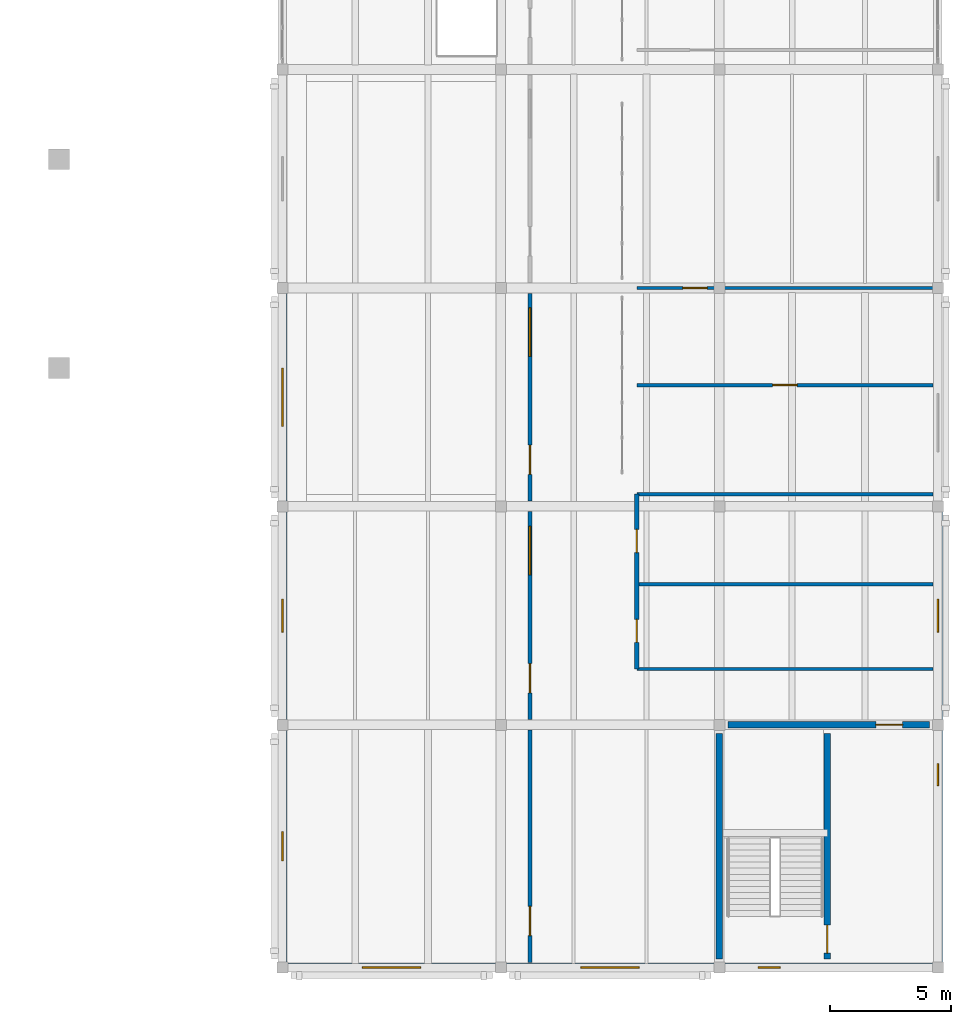
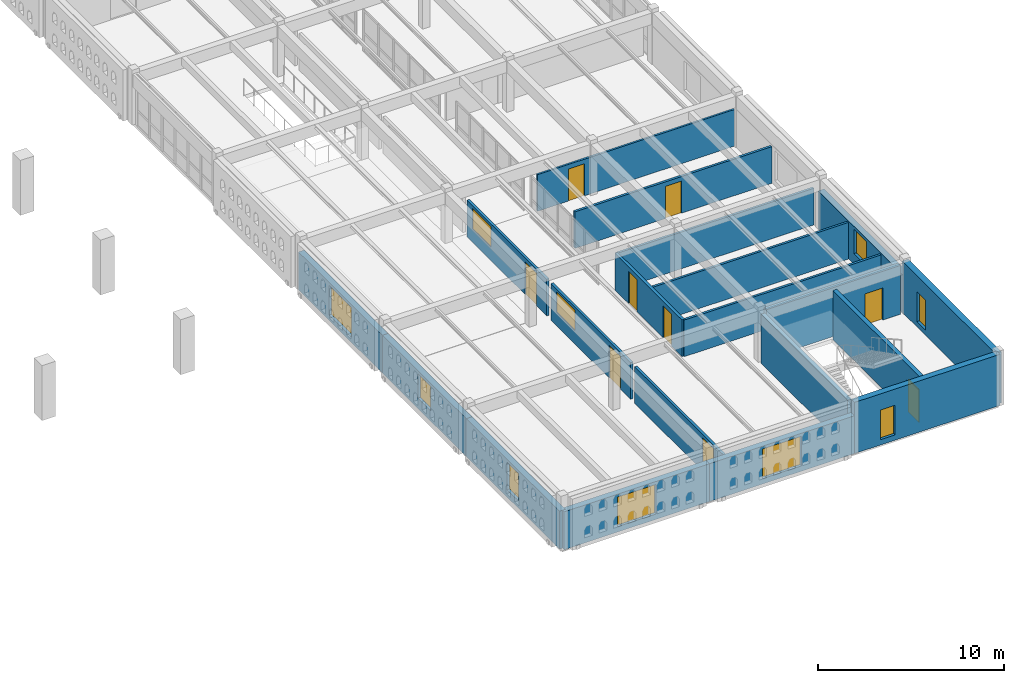
# One storey, part 68 of 80: 20 walls, 10 windows, 9 doors, 19 openings.
"""IFC4 building model written with IfcOpenShell, lengths in metres."""

from ifc_helpers import new_model, si_unit, direction, frame, frame_2d, origin, place, context, subcontext, project, spatial, rectangle, extrude, material, layer, layer_set, type_object, element, fill, save


model = new_model("IFC4")

# Units and contexts
model_context = context("Model", 3, precision=1e-05, world=origin(), true_north=direction((0.0, 1.0)))
body_context = subcontext(model_context, "Body", "Model", "MODEL_VIEW")
ifc_project = project(units=[si_unit("LENGTHUNIT", "METRE"), si_unit("AREAUNIT", "SQUARE_METRE"), si_unit("VOLUMEUNIT", "CUBIC_METRE"), si_unit("PLANEANGLEUNIT", "RADIAN"), si_unit("MASSUNIT", "GRAM", prefix="KILO")], contexts=[model_context])

# Site, building, storey
site_placement = place(None, origin())
site = spatial("IfcSite", under=ifc_project, at=site_placement, CompositionType="ELEMENT")
building_placement = place(site_placement, origin())
building = spatial("IfcBuilding", under=site, at=building_placement, Name="Ornek Quay Market", CompositionType="ELEMENT")
storey_placement = place(building_placement, frame((0.0, 0.0, 8.39990234375)))
storey = spatial("IfcBuildingStorey", under=building, at=storey_placement, Name="L02", CompositionType="ELEMENT", Elevation=8.39990234375)

# Wall, opening, door
ifc_material_1 = material(Name="Concrete C40/50", Category="concrete")
ifc_layer_1 = layer(ifc_material_1, 0.260009765625, Name="Concrete C40/50", Category="concrete")
ifc_layer_set_1 = layer_set([ifc_layer_1], Name="Concrete C40/50")
wall_type_1 = type_object("IfcWallType", Name="WL-CORE-260", PredefinedType="SHEAR", material=ifc_layer_set_1)
wall_1_placement = place(storey_placement, frame((175.449951171875, 10.35009765625, 0.0), z_axis=(0.0, 0.0, 1.0), x_axis=(0.0, 1.0, 0.0)))
wall_1 = element("IfcWall", 1, at=wall_1_placement, inside=storey, type_object=wall_type_1, Name="Interior wall W-CORE2-163", PredefinedType="SHEAR", context=body_context, shape_type="SweptSolid", body=[
    extrude(rectangle(XDim=9.2998046875, YDim=0.260009765625, at=frame_2d((4.64990234375, 0.0))), origin(), (0.0, 0.0, 1.0), 3.2001953125),
])
opening_1_placement = place(wall_1_placement, frame((0.25, 0.0, 0.0)))
opening_1 = element("IfcOpeningElement", 2, at=opening_1_placement, cuts=wall_1, Name="Opening FD-03-064", PredefinedType="OPENING", context=body_context, shape_type="SweptSolid", body=[
    extrude(rectangle(XDim=1.14990234375, YDim=2.14990234375, at=frame_2d((0.574951171875, 1.074951171875))), frame((0.0, 0.139892578125, 0.0), z_axis=(0.0, -1.0, 0.0), x_axis=(1.0, 0.0, 0.0)), (0.0, 0.0, 1.0), 0.280029296875),
])
ifc_material_2 = material(Name="Insulated fire-rated painted steel", Category="steel")
door_type_1 = type_object("IfcDoorType", Name="DR-FIRE-STAIR-1150x2150", OperationType="NOTDEFINED", PredefinedType="DOOR", material=ifc_material_2)
door_1_placement = place(opening_1_placement, origin())
door_1 = element("IfcDoor", 3, at=door_1_placement, inside=storey, type_object=door_type_1, Name="Interior door FD-03-064", OperationType="SINGLE_SWING_LEFT", OverallHeight=2.14990234375, OverallWidth=1.14990234375, PredefinedType="DOOR", context=body_context, shape_type="SweptSolid", body=[
    extrude(rectangle(XDim=1.14990234375, YDim=2.14990234375, at=frame_2d((0.574951171875, 1.074951171875))), frame((0.0, 0.02490234375, 0.0), z_axis=(0.0, -1.0, 0.0), x_axis=(1.0, 0.0, 0.0)), (0.0, 0.0, 1.0), 0.050048828125),
])
fill(opening_1, door_1)

# Wall
wall_2_placement = place(storey_placement, frame((171.0, 10.35009765625, 0.0), z_axis=(0.0, 0.0, 1.0), x_axis=(0.0, 1.0, 0.0)))
element("IfcWall", 4, at=wall_2_placement, inside=storey, type_object=wall_type_1, Name="Interior wall W-CORE2-164", PredefinedType="SHEAR", context=body_context, shape_type="SweptSolid", body=[
    extrude(rectangle(XDim=9.2998046875, YDim=0.260009765625, at=frame_2d((4.64990234375, 0.0))), origin(), (0.0, 0.0, 1.0), 3.2001953125),
])

# Wall, opening, door
wall_3_placement = place(storey_placement, frame((171.35009765625, 20.0, 0.0), z_axis=(0.0, 0.0, 1.0), x_axis=(1.0, 0.0, 0.0)))
wall_3 = element("IfcWall", 5, at=wall_3_placement, inside=storey, type_object=wall_type_1, Name="Interior wall W-CORE2-165", PredefinedType="SHEAR", context=body_context, shape_type="SweptSolid", body=[
    extrude(rectangle(XDim=8.2998046875, YDim=0.260009765625, at=frame_2d((4.14990234375, 0.0))), origin(), (0.0, 0.0, 1.0), 3.2001953125),
])
opening_2_placement = place(wall_3_placement, frame((6.10009765625, 0.0, 0.0)))
opening_2 = element("IfcOpeningElement", 6, at=opening_2_placement, cuts=wall_3, Name="Opening FD-04-065", PredefinedType="OPENING", context=body_context, shape_type="SweptSolid", body=[
    extrude(rectangle(XDim=1.10009765625, YDim=2.10009765625, at=frame_2d((0.550048828125, 1.050048828125))), frame((0.0, 0.139892578125, 0.0), z_axis=(0.0, -1.0, 0.0), x_axis=(1.0, 0.0, 0.0)), (0.0, 0.0, 1.0), 0.280029296875),
])
door_type_2 = type_object("IfcDoorType", Name="DR-FIRE-LOBBY-1100x2100", OperationType="NOTDEFINED", PredefinedType="DOOR", material=ifc_material_2)
door_2_placement = place(opening_2_placement, origin())
door_2 = element("IfcDoor", 7, at=door_2_placement, inside=storey, type_object=door_type_2, Name="Interior door FD-04-065", OperationType="SINGLE_SWING_RIGHT", OverallHeight=2.10009765625, OverallWidth=1.10009765625, PredefinedType="DOOR", context=body_context, shape_type="SweptSolid", body=[
    extrude(rectangle(XDim=1.10009765625, YDim=2.10009765625, at=frame_2d((0.550048828125, 1.050048828125))), frame((0.0, 0.02490234375, 0.0), z_axis=(0.0, -1.0, 0.0), x_axis=(1.0, 0.0, 0.0)), (0.0, 0.0, 1.0), 0.050048828125),
])
fill(opening_2, door_2)

# Wall, openings, doors
ifc_material_3 = material(Name="Autoclaved aerated concrete masonry", Category="masonry")
ifc_layer_2 = layer(ifc_material_3, 0.179931640625, Name="Autoclaved aerated concrete masonry", Category="masonry")
ifc_layer_set_2 = layer_set([ifc_layer_2], Name="Autoclaved aerated concrete masonry")
wall_type_2 = type_object("IfcWallType", Name="WL-CORR-180", PredefinedType="STANDARD", material=ifc_layer_set_2)
wall_4_placement = place(storey_placement, frame((167.60009765625, 22.300048828125, 0.0), z_axis=(0.0, 0.0, 1.0), x_axis=(0.0, 1.0, 0.0)))
wall_4 = element("IfcWall", 8, at=wall_4_placement, inside=storey, type_object=wall_type_2, Name="Interior wall W-INT1-396", PredefinedType="STANDARD", context=body_context, shape_type="SweptSolid", body=[
    extrude(rectangle(XDim=7.199951171875, YDim=0.179931640625, at=frame_2d((3.60009765625, 0.0))), origin(), (0.0, 0.0, 1.0), 2.400146484375),
])
opening_3_placement = place(wall_4_placement, frame((1.10009765625, 0.0, 0.0)))
opening_3 = element("IfcOpeningElement", 9, at=opening_3_placement, cuts=wall_4, Name="Opening ID-04-192", PredefinedType="OPENING", context=body_context, shape_type="SweptSolid", body=[
    extrude(rectangle(XDim=0.949951171875, YDim=2.10009765625, at=frame_2d((0.47509765625, 1.050048828125))), frame((0.0, 0.099853515625, 0.0), z_axis=(0.0, -1.0, 0.0), x_axis=(1.0, 0.0, 0.0)), (0.0, 0.0, 1.0), 0.199951171875),
])
opening_4_placement = place(wall_4_placement, frame((4.800048828125, 0.0, 0.0)))
opening_4 = element("IfcOpeningElement", 10, at=opening_4_placement, cuts=wall_4, Name="Opening ID-04-193", PredefinedType="OPENING", context=body_context, shape_type="SweptSolid", body=[
    extrude(rectangle(XDim=0.949951171875, YDim=2.10009765625, at=frame_2d((0.47509765625, 1.050048828125))), frame((0.0, 0.099853515625, 0.0), z_axis=(0.0, -1.0, 0.0), x_axis=(1.0, 0.0, 0.0)), (0.0, 0.0, 1.0), 0.199951171875),
])
ifc_material_4 = material(Name="Moisture-resistant laminate door", Category="other")
door_type_3 = type_object("IfcDoorType", Name="DR-INT-WC-950x2100", OperationType="NOTDEFINED", PredefinedType="DOOR", material=ifc_material_4)
door_3_placement = place(opening_3_placement, origin())
door_3 = element("IfcDoor", 11, at=door_3_placement, inside=storey, type_object=door_type_3, Name="Interior door ID-04-192", OperationType="SINGLE_SWING_LEFT", OverallHeight=2.10009765625, OverallWidth=0.949951171875, PredefinedType="DOOR", context=body_context, shape_type="SweptSolid", body=[
    extrude(rectangle(XDim=0.949951171875, YDim=2.10009765625, at=frame_2d((0.47509765625, 1.050048828125))), frame((0.0, 0.02490234375, 0.0), z_axis=(0.0, -1.0, 0.0), x_axis=(1.0, 0.0, 0.0)), (0.0, 0.0, 1.0), 0.050048828125),
])
fill(opening_3, door_3)
door_4_placement = place(opening_4_placement, origin())
door_4 = element("IfcDoor", 12, at=door_4_placement, inside=storey, type_object=door_type_3, Name="Interior door ID-04-193", OperationType="SINGLE_SWING_RIGHT", OverallHeight=2.10009765625, OverallWidth=0.949951171875, PredefinedType="DOOR", context=body_context, shape_type="SweptSolid", body=[
    extrude(rectangle(XDim=0.949951171875, YDim=2.10009765625, at=frame_2d((0.47509765625, 1.050048828125))), frame((0.0, 0.02490234375, 0.0), z_axis=(0.0, -1.0, 0.0), x_axis=(1.0, 0.0, 0.0)), (0.0, 0.0, 1.0), 0.050048828125),
])
fill(opening_4, door_4)

# Wall, opening, window
ifc_material_5 = material(Name="Frost-resistant facing clay brick M200 F100", Category="masonry")
ifc_layer_3 = layer(ifc_material_5, 0.3701171875, Name="Frost-resistant facing clay brick M200 F100", Category="masonry")
ifc_layer_set_3 = layer_set([ifc_layer_3], Name="Frost-resistant facing clay brick M200 F100")
wall_type_3 = type_object("IfcWallType", Name="WL-EXT-CS-370", PredefinedType="STANDARD", material=ifc_layer_set_3)
wall_5_placement = place(storey_placement, frame((153.0, 10.0, 0.0), z_axis=(0.0, 0.0, 1.0), x_axis=(0.0, 1.0, 0.0)))
wall_5 = element("IfcWall", 13, at=wall_5_placement, inside=storey, type_object=wall_type_3, Name="Exterior wall EW-214", PredefinedType="STANDARD", context=body_context, shape_type="SweptSolid", body=[
    extrude(rectangle(XDim=10.0, YDim=0.3701171875, at=frame_2d((5.0, 0.0))), origin(), (0.0, 0.0, 1.0), 2.47998046875),
])
opening_5_placement = place(wall_5_placement, frame((4.39990234375, 0.0, 0.489990234375)))
opening_5 = element("IfcOpeningElement", 14, at=opening_5_placement, cuts=wall_5, Name="Opening W-11-177", PredefinedType="OPENING", context=body_context, shape_type="SweptSolid", body=[
    extrude(rectangle(XDim=1.199951171875, YDim=1.800048828125, at=frame_2d((0.60009765625, 0.89990234375))), frame((0.0, 0.195068359375, 0.0), z_axis=(0.0, -1.0, 0.0), x_axis=(1.0, 0.0, 0.0)), (0.0, 0.0, 1.0), 0.39013671875),
])
ifc_material_6 = material(Name="Thermally broken bronze aluminium and triple low-e glass", Category="aluminium")
window_type_1 = type_object("IfcWindowType", Name="WN-CS-1200x1800", PartitioningType="SINGLE_PANEL", PredefinedType="WINDOW", material=ifc_material_6)
window_1_placement = place(opening_5_placement, origin())
window_1 = element("IfcWindow", 15, at=window_1_placement, inside=storey, type_object=window_type_1, Name="Window W-11-177", OverallHeight=1.800048828125, OverallWidth=1.199951171875, PartitioningType="SINGLE_PANEL", PredefinedType="WINDOW", context=body_context, shape_type="SweptSolid", body=[
    extrude(rectangle(XDim=1.199951171875, YDim=1.800048828125, at=frame_2d((0.60009765625, 0.89990234375))), frame((0.0, 0.030029296875, 0.0), z_axis=(0.0, -1.0, 0.0), x_axis=(1.0, 0.0, 0.0)), (0.0, 0.0, 1.0), 0.06005859375),
])
fill(opening_5, window_1)

wall_6_placement = place(storey_placement, frame((153.0, 20.0, 0.0), z_axis=(0.0, 0.0, 1.0), x_axis=(0.0, 1.0, 0.0)))
wall_6 = element("IfcWall", 16, at=wall_6_placement, inside=storey, type_object=wall_type_3, Name="Exterior wall EW-215", PredefinedType="STANDARD", context=body_context, shape_type="SweptSolid", body=[
    extrude(rectangle(XDim=9.0, YDim=0.3701171875, at=frame_2d((4.5, 0.0))), origin(), (0.0, 0.0, 1.0), 2.47998046875),
])
opening_6_placement = place(wall_6_placement, frame((3.824951171875, 0.0, 0.68994140625)))
opening_6 = element("IfcOpeningElement", 17, at=opening_6_placement, cuts=wall_6, Name="Opening W-16-178", PredefinedType="OPENING", context=body_context, shape_type="SweptSolid", body=[
    extrude(rectangle(XDim=1.35009765625, YDim=1.60009765625, at=frame_2d((0.675048828125, 0.800048828125))), frame((0.0, 0.195068359375, 0.0), z_axis=(0.0, -1.0, 0.0), x_axis=(1.0, 0.0, 0.0)), (0.0, 0.0, 1.0), 0.39013671875),
])
window_type_2 = type_object("IfcWindowType", Name="WN-OFF-1350x1600", PartitioningType="SINGLE_PANEL", PredefinedType="WINDOW", material=ifc_material_6)
window_2_placement = place(opening_6_placement, origin())
window_2 = element("IfcWindow", 18, at=window_2_placement, inside=storey, type_object=window_type_2, Name="Window W-16-178", OverallHeight=1.60009765625, OverallWidth=1.35009765625, PartitioningType="SINGLE_PANEL", PredefinedType="WINDOW", context=body_context, shape_type="SweptSolid", body=[
    extrude(rectangle(XDim=1.35009765625, YDim=1.60009765625, at=frame_2d((0.675048828125, 0.800048828125))), frame((0.0, 0.030029296875, 0.0), z_axis=(0.0, -1.0, 0.0), x_axis=(1.0, 0.0, 0.0)), (0.0, 0.0, 1.0), 0.06005859375),
])
fill(opening_6, window_2)

wall_7_placement = place(storey_placement, frame((153.0, 29.0, 0.0), z_axis=(0.0, 0.0, 1.0), x_axis=(0.0, 1.0, 0.0)))
wall_7 = element("IfcWall", 19, at=wall_7_placement, inside=storey, type_object=wall_type_3, Name="Exterior wall EW-216", PredefinedType="STANDARD", context=body_context, shape_type="SweptSolid", body=[
    extrude(rectangle(XDim=9.0, YDim=0.3701171875, at=frame_2d((4.5, 0.0))), origin(), (0.0, 0.0, 1.0), 2.47998046875),
])
opening_7_placement = place(wall_7_placement, frame((3.300048828125, 0.0, 0.35009765625)))
opening_7 = element("IfcOpeningElement", 20, at=opening_7_placement, cuts=wall_7, Name="Opening W-08-179", PredefinedType="OPENING", context=body_context, shape_type="SweptSolid", body=[
    extrude(rectangle(XDim=2.39990234375, YDim=1.93994140625, at=frame_2d((1.199951171875, 0.969970703125))), frame((0.0, 0.195068359375, 0.0), z_axis=(0.0, -1.0, 0.0), x_axis=(1.0, 0.0, 0.0)), (0.0, 0.0, 1.0), 0.39013671875),
])
window_type_3 = type_object("IfcWindowType", Name="WN-CS-2400x2000", PartitioningType="DOUBLE_PANEL_VERTICAL", PredefinedType="WINDOW", material=ifc_material_6)
window_3_placement = place(opening_7_placement, origin())
window_3 = element("IfcWindow", 21, at=window_3_placement, inside=storey, type_object=window_type_3, Name="Window W-08-179", OverallHeight=1.93994140625, OverallWidth=2.39990234375, PartitioningType="SINGLE_PANEL", PredefinedType="WINDOW", context=body_context, shape_type="SweptSolid", body=[
    extrude(rectangle(XDim=2.39990234375, YDim=1.93994140625, at=frame_2d((1.199951171875, 0.969970703125))), frame((0.0, 0.030029296875, 0.0), z_axis=(0.0, -1.0, 0.0), x_axis=(1.0, 0.0, 0.0)), (0.0, 0.0, 1.0), 0.06005859375),
])
fill(opening_7, window_3)

wall_8_placement = place(storey_placement, frame((180.0, 20.0, 0.0), z_axis=(0.0, 0.0, 1.0), x_axis=(0.0, -1.0, 0.0)))
wall_8 = element("IfcWall", 22, at=wall_8_placement, inside=storey, type_object=wall_type_3, Name="Exterior wall EW-219", PredefinedType="STANDARD", context=body_context, shape_type="SweptSolid", body=[
    extrude(rectangle(XDim=10.0, YDim=0.3701171875, at=frame_2d((5.0, 0.0))), origin(), (0.0, 0.0, 1.0), 3.35009765625),
])
opening_8_placement = place(wall_8_placement, frame((1.60009765625, 0.0, 0.35009765625)))
opening_8 = element("IfcOpeningElement", 23, at=opening_8_placement, cuts=wall_8, Name="Opening W-17-182", PredefinedType="OPENING", context=body_context, shape_type="SweptSolid", body=[
    extrude(rectangle(XDim=0.89990234375, YDim=1.93994140625, at=frame_2d((0.449951171875, 0.969970703125))), frame((0.0, 0.195068359375, 0.0), z_axis=(0.0, -1.0, 0.0), x_axis=(1.0, 0.0, 0.0)), (0.0, 0.0, 1.0), 0.39013671875),
])
window_type_4 = type_object("IfcWindowType", Name="WN-CORE-900x2400", PartitioningType="SINGLE_PANEL", PredefinedType="WINDOW", material=ifc_material_6)
window_4_placement = place(opening_8_placement, origin())
window_4 = element("IfcWindow", 24, at=window_4_placement, inside=storey, type_object=window_type_4, Name="Window W-17-182", OverallHeight=1.93994140625, OverallWidth=0.89990234375, PartitioningType="SINGLE_PANEL", PredefinedType="WINDOW", context=body_context, shape_type="SweptSolid", body=[
    extrude(rectangle(XDim=0.89990234375, YDim=1.93994140625, at=frame_2d((0.449951171875, 0.969970703125))), frame((0.0, 0.030029296875, 0.0), z_axis=(0.0, -1.0, 0.0), x_axis=(1.0, 0.0, 0.0)), (0.0, 0.0, 1.0), 0.06005859375),
])
fill(opening_8, window_4)

wall_9_placement = place(storey_placement, frame((180.0, 20.0, 0.0), z_axis=(0.0, 0.0, 1.0), x_axis=(0.0, 1.0, 0.0)))
wall_9 = element("IfcWall", 25, at=wall_9_placement, inside=storey, type_object=wall_type_3, Name="Exterior wall EW-220", PredefinedType="STANDARD", context=body_context, shape_type="SweptSolid", body=[
    extrude(rectangle(XDim=9.0, YDim=0.3701171875, at=frame_2d((4.5, 0.0))), origin(), (0.0, 0.0, 1.0), 2.47998046875),
])
opening_9_placement = place(wall_9_placement, frame((3.824951171875, 0.0, 0.68994140625)))
opening_9 = element("IfcOpeningElement", 26, at=opening_9_placement, cuts=wall_9, Name="Opening W-16-183", PredefinedType="OPENING", context=body_context, shape_type="SweptSolid", body=[
    extrude(rectangle(XDim=1.35009765625, YDim=1.60009765625, at=frame_2d((0.675048828125, 0.800048828125))), frame((0.0, 0.195068359375, 0.0), z_axis=(0.0, -1.0, 0.0), x_axis=(1.0, 0.0, 0.0)), (0.0, 0.0, 1.0), 0.39013671875),
])
window_5_placement = place(opening_9_placement, origin())
window_5 = element("IfcWindow", 27, at=window_5_placement, inside=storey, type_object=window_type_2, Name="Window W-16-183", OverallHeight=1.60009765625, OverallWidth=1.35009765625, PartitioningType="SINGLE_PANEL", PredefinedType="WINDOW", context=body_context, shape_type="SweptSolid", body=[
    extrude(rectangle(XDim=1.35009765625, YDim=1.60009765625, at=frame_2d((0.675048828125, 0.800048828125))), frame((0.0, 0.030029296875, 0.0), z_axis=(0.0, -1.0, 0.0), x_axis=(1.0, 0.0, 0.0)), (0.0, 0.0, 1.0), 0.06005859375),
])
fill(opening_9, window_5)

wall_10_placement = place(storey_placement, frame((153.0, 10.0, 0.0), z_axis=(0.0, 0.0, 1.0), x_axis=(1.0, 0.0, 0.0)))
wall_10 = element("IfcWall", 28, at=wall_10_placement, inside=storey, type_object=wall_type_3, Name="Exterior wall EW-224", PredefinedType="STANDARD", context=body_context, shape_type="SweptSolid", body=[
    extrude(rectangle(XDim=9.0, YDim=0.3701171875, at=frame_2d((4.5, 0.0))), origin(), (0.0, 0.0, 1.0), 2.47998046875),
])
opening_10_placement = place(wall_10_placement, frame((3.300048828125, 0.0, 0.35009765625)))
opening_10 = element("IfcOpeningElement", 29, at=opening_10_placement, cuts=wall_10, Name="Opening W-08-187", PredefinedType="OPENING", context=body_context, shape_type="SweptSolid", body=[
    extrude(rectangle(XDim=2.39990234375, YDim=1.93994140625, at=frame_2d((1.199951171875, 0.969970703125))), frame((0.0, 0.195068359375, 0.0), z_axis=(0.0, -1.0, 0.0), x_axis=(1.0, 0.0, 0.0)), (0.0, 0.0, 1.0), 0.39013671875),
])
window_6_placement = place(opening_10_placement, origin())
window_6 = element("IfcWindow", 30, at=window_6_placement, inside=storey, type_object=window_type_3, Name="Window W-08-187", OverallHeight=1.93994140625, OverallWidth=2.39990234375, PartitioningType="SINGLE_PANEL", PredefinedType="WINDOW", context=body_context, shape_type="SweptSolid", body=[
    extrude(rectangle(XDim=2.39990234375, YDim=1.93994140625, at=frame_2d((1.199951171875, 0.969970703125))), frame((0.0, 0.030029296875, 0.0), z_axis=(0.0, -1.0, 0.0), x_axis=(1.0, 0.0, 0.0)), (0.0, 0.0, 1.0), 0.06005859375),
])
fill(opening_10, window_6)

wall_11_placement = place(storey_placement, frame((162.0, 10.0, 0.0), z_axis=(0.0, 0.0, 1.0), x_axis=(1.0, 0.0, 0.0)))
wall_11 = element("IfcWall", 31, at=wall_11_placement, inside=storey, type_object=wall_type_3, Name="Exterior wall EW-225", PredefinedType="STANDARD", context=body_context, shape_type="SweptSolid", body=[
    extrude(rectangle(XDim=9.0, YDim=0.3701171875, at=frame_2d((4.5, 0.0))), origin(), (0.0, 0.0, 1.0), 2.47998046875),
])
opening_11_placement = place(wall_11_placement, frame((3.300048828125, 0.0, 0.35009765625)))
opening_11 = element("IfcOpeningElement", 32, at=opening_11_placement, cuts=wall_11, Name="Opening W-08-188", PredefinedType="OPENING", context=body_context, shape_type="SweptSolid", body=[
    extrude(rectangle(XDim=2.39990234375, YDim=1.93994140625, at=frame_2d((1.199951171875, 0.969970703125))), frame((0.0, 0.195068359375, 0.0), z_axis=(0.0, -1.0, 0.0), x_axis=(1.0, 0.0, 0.0)), (0.0, 0.0, 1.0), 0.39013671875),
])
window_7_placement = place(opening_11_placement, origin())
window_7 = element("IfcWindow", 33, at=window_7_placement, inside=storey, type_object=window_type_3, Name="Window W-08-188", OverallHeight=1.93994140625, OverallWidth=2.39990234375, PartitioningType="SINGLE_PANEL", PredefinedType="WINDOW", context=body_context, shape_type="SweptSolid", body=[
    extrude(rectangle(XDim=2.39990234375, YDim=1.93994140625, at=frame_2d((1.199951171875, 0.969970703125))), frame((0.0, 0.030029296875, 0.0), z_axis=(0.0, -1.0, 0.0), x_axis=(1.0, 0.0, 0.0)), (0.0, 0.0, 1.0), 0.06005859375),
])
fill(opening_11, window_7)

wall_12_placement = place(storey_placement, frame((171.0, 10.0, 0.0), z_axis=(0.0, 0.0, 1.0), x_axis=(1.0, 0.0, 0.0)))
wall_12 = element("IfcWall", 34, at=wall_12_placement, inside=storey, type_object=wall_type_3, Name="Exterior wall EW-226", PredefinedType="STANDARD", context=body_context, shape_type="SweptSolid", body=[
    extrude(rectangle(XDim=9.0, YDim=0.3701171875, at=frame_2d((4.5, 0.0))), origin(), (0.0, 0.0, 1.0), 3.35009765625),
])
opening_12_placement = place(wall_12_placement, frame((1.60009765625, 0.0, 0.35009765625)))
opening_12 = element("IfcOpeningElement", 35, at=opening_12_placement, cuts=wall_12, Name="Opening W-17-189", PredefinedType="OPENING", context=body_context, shape_type="SweptSolid", body=[
    extrude(rectangle(XDim=0.89990234375, YDim=1.93994140625, at=frame_2d((0.449951171875, 0.969970703125))), frame((0.0, 0.195068359375, 0.0), z_axis=(0.0, -1.0, 0.0), x_axis=(1.0, 0.0, 0.0)), (0.0, 0.0, 1.0), 0.39013671875),
])
window_8_placement = place(opening_12_placement, origin())
window_8 = element("IfcWindow", 36, at=window_8_placement, inside=storey, type_object=window_type_4, Name="Window W-17-189", OverallHeight=1.93994140625, OverallWidth=0.89990234375, PartitioningType="SINGLE_PANEL", PredefinedType="WINDOW", context=body_context, shape_type="SweptSolid", body=[
    extrude(rectangle(XDim=0.89990234375, YDim=1.93994140625, at=frame_2d((0.449951171875, 0.969970703125))), frame((0.0, 0.030029296875, 0.0), z_axis=(0.0, -1.0, 0.0), x_axis=(1.0, 0.0, 0.0)), (0.0, 0.0, 1.0), 0.06005859375),
])
fill(opening_12, window_8)

# Wall, opening, door
ifc_material_7 = material(Name="Acoustic stud partition", Category="other")
ifc_layer_4 = layer(ifc_material_7, 0.125, Name="Acoustic stud partition", Category="other")
ifc_layer_set_4 = layer_set([ifc_layer_4], Name="Acoustic stud partition")
wall_type_4 = type_object("IfcWallType", Name="WL-OFF-125", PredefinedType="PARTITIONING", material=ifc_layer_set_4)
wall_13_placement = place(storey_placement, frame((167.60009765625, 38.0, 0.0), z_axis=(0.0, 0.0, 1.0), x_axis=(1.0, 0.0, 0.0)))
wall_13 = element("IfcWall", 37, at=wall_13_placement, inside=storey, type_object=wall_type_4, Name="Interior wall W-INT5-339", PredefinedType="PARTITIONING", context=body_context, shape_type="SweptSolid", body=[
    extrude(rectangle(XDim=12.199951171875, YDim=0.125, at=frame_2d((6.10009765625, 0.0))), origin(), (0.0, 0.0, 1.0), 2.400146484375),
])
opening_13_placement = place(wall_13_placement, frame((1.89990234375, 0.0, 0.0)))
opening_13 = element("IfcOpeningElement", 38, at=opening_13_placement, cuts=wall_13, Name="Opening ID-03-163", PredefinedType="OPENING", context=body_context, shape_type="SweptSolid", body=[
    extrude(rectangle(XDim=1.0, YDim=2.10009765625, at=frame_2d((0.5, 1.050048828125))), frame((0.0, 0.072509765625, 0.0), z_axis=(0.0, -1.0, 0.0), x_axis=(1.0, 0.0, 0.0)), (0.0, 0.0, 1.0), 0.14501953125),
])
ifc_material_8 = material(Name="Solid oak door", Category="other")
door_type_4 = type_object("IfcDoorType", Name="DR-INT-ROOM-1000x2100", OperationType="NOTDEFINED", PredefinedType="DOOR", material=ifc_material_8)
door_5_placement = place(opening_13_placement, origin())
door_5 = element("IfcDoor", 39, at=door_5_placement, inside=storey, type_object=door_type_4, Name="Interior door ID-03-163", OperationType="SINGLE_SWING_RIGHT", OverallHeight=2.10009765625, OverallWidth=1.0, PredefinedType="DOOR", context=body_context, shape_type="SweptSolid", body=[
    extrude(rectangle(XDim=1.0, YDim=2.10009765625, at=frame_2d((0.5, 1.050048828125))), frame((0.0, 0.02490234375, 0.0), z_axis=(0.0, -1.0, 0.0), x_axis=(1.0, 0.0, 0.0)), (0.0, 0.0, 1.0), 0.050048828125),
])
fill(opening_13, door_5)

ifc_material_9 = material(Name="Hygienic tiled pantry partition", Category="other")
ifc_layer_5 = layer(ifc_material_9, 0.14501953125, Name="Hygienic tiled pantry partition", Category="other")
ifc_layer_set_5 = layer_set([ifc_layer_5], Name="Hygienic tiled pantry partition")
wall_type_5 = type_object("IfcWallType", Name="WL-PANTRY-145", PredefinedType="PARTITIONING", material=ifc_layer_set_5)
wall_14_placement = place(storey_placement, frame((167.60009765625, 34.0, 0.0), z_axis=(0.0, 0.0, 1.0), x_axis=(1.0, 0.0, 0.0)))
wall_14 = element("IfcWall", 40, at=wall_14_placement, inside=storey, type_object=wall_type_5, Name="Interior wall W-INT10-359", PredefinedType="PARTITIONING", context=body_context, shape_type="SweptSolid", body=[
    extrude(rectangle(XDim=12.199951171875, YDim=0.14501953125, at=frame_2d((6.10009765625, 0.0))), origin(), (0.0, 0.0, 1.0), 2.400146484375),
])
opening_14_placement = place(wall_14_placement, frame((5.60009765625, 0.0, 0.0)))
opening_14 = element("IfcOpeningElement", 41, at=opening_14_placement, cuts=wall_14, Name="Opening ID-03-179", PredefinedType="OPENING", context=body_context, shape_type="SweptSolid", body=[
    extrude(rectangle(XDim=1.0, YDim=2.10009765625, at=frame_2d((0.5, 1.050048828125))), frame((0.0, 0.08251953125, 0.0), z_axis=(0.0, -1.0, 0.0), x_axis=(1.0, 0.0, 0.0)), (0.0, 0.0, 1.0), 0.1650390625),
])
door_6_placement = place(opening_14_placement, origin())
door_6 = element("IfcDoor", 42, at=door_6_placement, inside=storey, type_object=door_type_4, Name="Interior door ID-03-179", OperationType="SINGLE_SWING_RIGHT", OverallHeight=2.10009765625, OverallWidth=1.0, PredefinedType="DOOR", context=body_context, shape_type="SweptSolid", body=[
    extrude(rectangle(XDim=1.0, YDim=2.10009765625, at=frame_2d((0.5, 1.050048828125))), frame((0.0, 0.02490234375, 0.0), z_axis=(0.0, -1.0, 0.0), x_axis=(1.0, 0.0, 0.0)), (0.0, 0.0, 1.0), 0.050048828125),
])
fill(opening_14, door_6)

ifc_material_10 = material(Name="Acoustic twin-stud gypsum partition", Category="other")
ifc_layer_6 = layer(ifc_material_10, 0.14990234375, Name="Acoustic twin-stud gypsum partition", Category="other")
ifc_layer_set_6 = layer_set([ifc_layer_6], Name="Acoustic twin-stud gypsum partition")
wall_type_6 = type_object("IfcWallType", Name="WL-STUDIO-150", PredefinedType="PARTITIONING", material=ifc_layer_set_6)
wall_15_placement = place(storey_placement, frame((163.199951171875, 10.219970703125, 0.0), z_axis=(0.0, 0.0, 1.0), x_axis=(0.0, 1.0, 0.0)))
wall_15 = element("IfcWall", 43, at=wall_15_placement, inside=storey, type_object=wall_type_6, Name="Interior wall W-INT3-330", PredefinedType="PARTITIONING", context=body_context, shape_type="SweptSolid", body=[
    extrude(rectangle(XDim=9.56005859375, YDim=0.14990234375, at=frame_2d((4.780029296875, 0.0))), origin(), (0.0, 0.0, 1.0), 2.400146484375),
])
opening_15_placement = place(wall_15_placement, frame((1.10009765625, 0.0, 0.0)))
opening_15 = element("IfcOpeningElement", 44, at=opening_15_placement, cuts=wall_15, Name="Opening ID-02-157", PredefinedType="OPENING", context=body_context, shape_type="SweptSolid", body=[
    extrude(rectangle(XDim=1.199951171875, YDim=2.14990234375, at=frame_2d((0.60009765625, 1.074951171875))), frame((0.0, 0.0849609375, 0.0), z_axis=(0.0, -1.0, 0.0), x_axis=(1.0, 0.0, 0.0)), (0.0, 0.0, 1.0), 0.169921875),
])
ifc_material_11 = material(Name="Acoustic solid oak door", Category="other")
door_type_5 = type_object("IfcDoorType", Name="DR-INT-STUDIO-1200x2150", OperationType="NOTDEFINED", PredefinedType="DOOR", material=ifc_material_11)
door_7_placement = place(opening_15_placement, origin())
door_7 = element("IfcDoor", 45, at=door_7_placement, inside=storey, type_object=door_type_5, Name="Interior door ID-02-157", OperationType="SINGLE_SWING_RIGHT", OverallHeight=2.14990234375, OverallWidth=1.199951171875, PredefinedType="DOOR", context=body_context, shape_type="SweptSolid", body=[
    extrude(rectangle(XDim=1.199951171875, YDim=2.14990234375, at=frame_2d((0.60009765625, 1.074951171875))), frame((0.0, 0.02490234375, 0.0), z_axis=(0.0, -1.0, 0.0), x_axis=(1.0, 0.0, 0.0)), (0.0, 0.0, 1.0), 0.050048828125),
])
fill(opening_15, door_7)

# Wall, openings, door, window
wall_16_placement = place(storey_placement, frame((163.199951171875, 20.219970703125, 0.0), z_axis=(0.0, 0.0, 1.0), x_axis=(0.0, 1.0, 0.0)))
wall_16 = element("IfcWall", 46, at=wall_16_placement, inside=storey, type_object=wall_type_6, Name="Interior wall W-INT3-331", PredefinedType="PARTITIONING", context=body_context, shape_type="SweptSolid", body=[
    extrude(rectangle(XDim=8.56005859375, YDim=0.14990234375, at=frame_2d((4.280029296875, 0.0))), origin(), (0.0, 0.0, 1.0), 2.400146484375),
])
opening_16_placement = place(wall_16_placement, frame((1.10009765625, 0.0, 0.0)))
opening_16 = element("IfcOpeningElement", 47, at=opening_16_placement, cuts=wall_16, Name="Opening ID-02-158", PredefinedType="OPENING", context=body_context, shape_type="SweptSolid", body=[
    extrude(rectangle(XDim=1.199951171875, YDim=2.14990234375, at=frame_2d((0.60009765625, 1.074951171875))), frame((0.0, 0.0849609375, 0.0), z_axis=(0.0, -1.0, 0.0), x_axis=(1.0, 0.0, 0.0)), (0.0, 0.0, 1.0), 0.169921875),
])
opening_17_placement = place(wall_16_placement, frame((5.9599609375, 0.0, 0.8701171875)))
opening_17 = element("IfcOpeningElement", 48, at=opening_17_placement, cuts=wall_16, Name="Opening W-19-L02-20", PredefinedType="OPENING", context=body_context, shape_type="SweptSolid", body=[
    extrude(rectangle(XDim=2.0, YDim=1.35009765625, at=frame_2d((1.0, 0.675048828125))), frame((0.0, 0.0849609375, 0.0), z_axis=(0.0, -1.0, 0.0), x_axis=(1.0, 0.0, 0.0)), (0.0, 0.0, 1.0), 0.169921875),
])
door_8_placement = place(opening_16_placement, origin())
door_8 = element("IfcDoor", 49, at=door_8_placement, inside=storey, type_object=door_type_5, Name="Interior door ID-02-158", OperationType="SINGLE_SWING_LEFT", OverallHeight=2.14990234375, OverallWidth=1.199951171875, PredefinedType="DOOR", context=body_context, shape_type="SweptSolid", body=[
    extrude(rectangle(XDim=1.199951171875, YDim=2.14990234375, at=frame_2d((0.60009765625, 1.074951171875))), frame((0.0, 0.02490234375, 0.0), z_axis=(0.0, -1.0, 0.0), x_axis=(1.0, 0.0, 0.0)), (0.0, 0.0, 1.0), 0.050048828125),
])
fill(opening_16, door_8)
window_type_5 = type_object("IfcWindowType", Name="WN-INT-2000x1500", PartitioningType="DOUBLE_PANEL_VERTICAL", PredefinedType="WINDOW", material=ifc_material_6)
window_9_placement = place(opening_17_placement, origin())
window_9 = element("IfcWindow", 50, at=window_9_placement, inside=storey, type_object=window_type_5, Name="Teaching kitchen observation window L02-20", OverallHeight=1.35009765625, OverallWidth=2.0, PartitioningType="SINGLE_PANEL", PredefinedType="WINDOW", context=body_context, shape_type="SweptSolid", body=[
    extrude(rectangle(XDim=2.0, YDim=1.35009765625, at=frame_2d((1.0, 0.675048828125))), frame((0.0, 0.030029296875, 0.0), z_axis=(0.0, -1.0, 0.0), x_axis=(1.0, 0.0, 0.0)), (0.0, 0.0, 1.0), 0.06005859375),
])
fill(opening_17, window_9)

wall_17_placement = place(storey_placement, frame((163.199951171875, 29.219970703125, 0.0), z_axis=(0.0, 0.0, 1.0), x_axis=(0.0, 1.0, 0.0)))
wall_17 = element("IfcWall", 51, at=wall_17_placement, inside=storey, type_object=wall_type_6, Name="Interior wall W-INT3-332", PredefinedType="PARTITIONING", context=body_context, shape_type="SweptSolid", body=[
    extrude(rectangle(XDim=8.56005859375, YDim=0.14990234375, at=frame_2d((4.280029296875, 0.0))), origin(), (0.0, 0.0, 1.0), 2.400146484375),
])
opening_18_placement = place(wall_17_placement, frame((1.10009765625, 0.0, 0.0)))
opening_18 = element("IfcOpeningElement", 52, at=opening_18_placement, cuts=wall_17, Name="Opening ID-02-159", PredefinedType="OPENING", context=body_context, shape_type="SweptSolid", body=[
    extrude(rectangle(XDim=1.199951171875, YDim=2.14990234375, at=frame_2d((0.60009765625, 1.074951171875))), frame((0.0, 0.0849609375, 0.0), z_axis=(0.0, -1.0, 0.0), x_axis=(1.0, 0.0, 0.0)), (0.0, 0.0, 1.0), 0.169921875),
])
opening_19_placement = place(wall_17_placement, frame((5.9599609375, 0.0, 0.8701171875)))
opening_19 = element("IfcOpeningElement", 53, at=opening_19_placement, cuts=wall_17, Name="Opening W-19-L02-29", PredefinedType="OPENING", context=body_context, shape_type="SweptSolid", body=[
    extrude(rectangle(XDim=2.0, YDim=1.35009765625, at=frame_2d((1.0, 0.675048828125))), frame((0.0, 0.0849609375, 0.0), z_axis=(0.0, -1.0, 0.0), x_axis=(1.0, 0.0, 0.0)), (0.0, 0.0, 1.0), 0.169921875),
])
door_9_placement = place(opening_18_placement, origin())
door_9 = element("IfcDoor", 54, at=door_9_placement, inside=storey, type_object=door_type_5, Name="Interior door ID-02-159", OperationType="SINGLE_SWING_RIGHT", OverallHeight=2.14990234375, OverallWidth=1.199951171875, PredefinedType="DOOR", context=body_context, shape_type="SweptSolid", body=[
    extrude(rectangle(XDim=1.199951171875, YDim=2.14990234375, at=frame_2d((0.60009765625, 1.074951171875))), frame((0.0, 0.02490234375, 0.0), z_axis=(0.0, -1.0, 0.0), x_axis=(1.0, 0.0, 0.0)), (0.0, 0.0, 1.0), 0.050048828125),
])
fill(opening_18, door_9)
window_10_placement = place(opening_19_placement, origin())
window_10 = element("IfcWindow", 55, at=window_10_placement, inside=storey, type_object=window_type_5, Name="Teaching kitchen observation window L02-29", OverallHeight=1.35009765625, OverallWidth=2.0, PartitioningType="SINGLE_PANEL", PredefinedType="WINDOW", context=body_context, shape_type="SweptSolid", body=[
    extrude(rectangle(XDim=2.0, YDim=1.35009765625, at=frame_2d((1.0, 0.675048828125))), frame((0.0, 0.030029296875, 0.0), z_axis=(0.0, -1.0, 0.0), x_axis=(1.0, 0.0, 0.0)), (0.0, 0.0, 1.0), 0.06005859375),
])
fill(opening_19, window_10)

# Walls
ifc_material_12 = material(Name="Moisture-resistant masonry partition", Category="masonry")
ifc_layer_7 = layer(ifc_material_12, 0.139892578125, Name="Moisture-resistant masonry partition", Category="masonry")
ifc_layer_set_7 = layer_set([ifc_layer_7], Name="Moisture-resistant masonry partition")
wall_type_7 = type_object("IfcWallType", Name="WL-WC-140", PredefinedType="PARTITIONING", material=ifc_layer_set_7)
for number, where, z_axis, x_axis, name in (
    (56, (167.60009765625, 22.300048828125, 0.0), (0.0, 0.0, 1.0), (1.0, 0.0, 0.0), "Interior wall W-INT4-336"),
    (57, (167.60009765625, 25.800048828125, 0.0), (0.0, 0.0, 1.0), (1.0, 0.0, 0.0), "Interior wall W-INT4-337"),
    (58, (167.60009765625, 29.5, 0.0), (0.0, 0.0, 1.0), (1.0, 0.0, 0.0), "Interior wall W-INT4-338"),
):
    element("IfcWall", number, at=place(storey_placement, frame(where, z_axis=z_axis, x_axis=x_axis)), inside=storey, type_object=wall_type_7, Name=name, PredefinedType="PARTITIONING", context=body_context, shape_type="SweptSolid", body=[
        extrude(rectangle(XDim=12.199951171875, YDim=0.139892578125, at=frame_2d((6.10009765625, 0.0))), origin(), (0.0, 0.0, 1.0), 2.400146484375),
    ])

save(model, "model.ifc")
